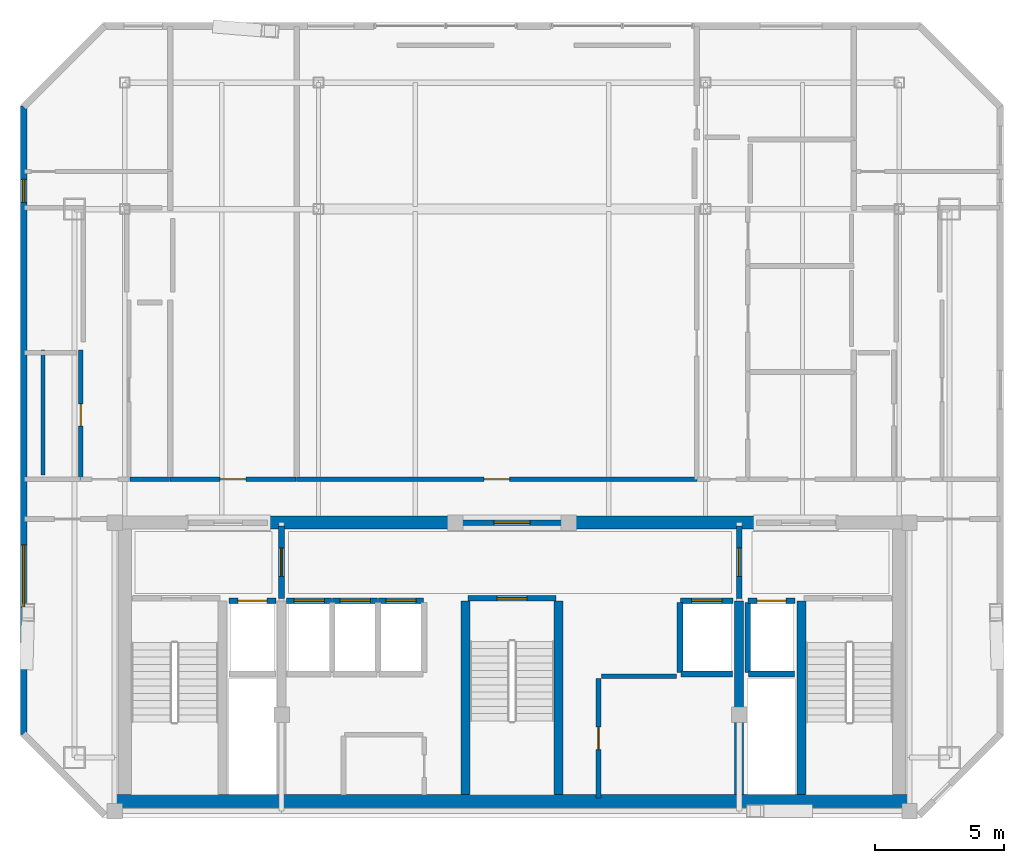
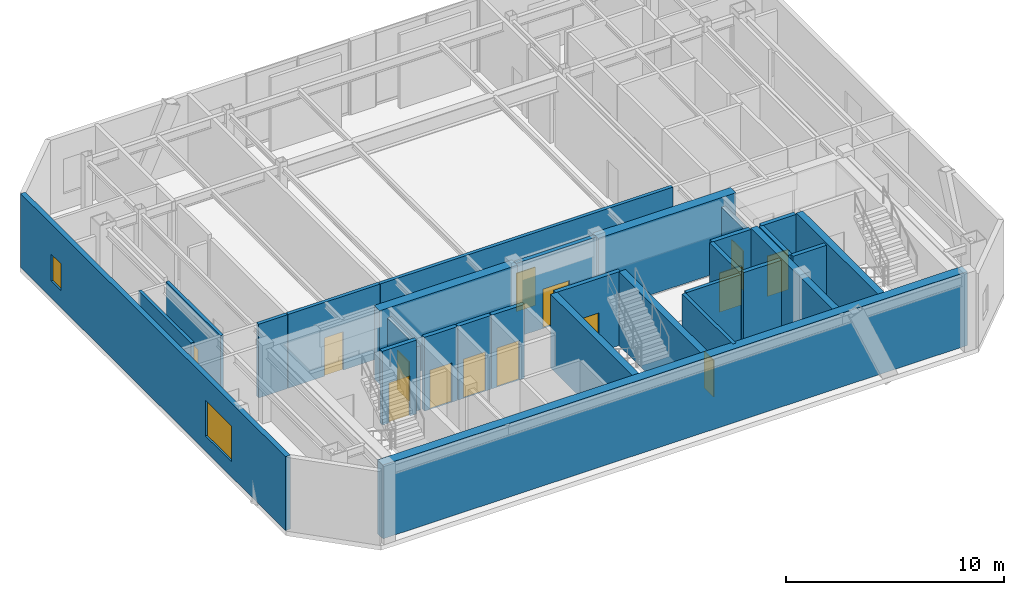
# One storey, part 6 of 10: 29 walls, 14 doors, 2 windows, 16 openings.
"""IFC4 building model written with IfcOpenShell, lengths in metres."""

from ifc_helpers import new_model, si_unit, direction, frame, frame_2d, origin, place, context, subcontext, project, spatial, rectangle, extrude, material, layer, layer_set, type_object, element, fill, save


model = new_model("IFC4")

# Units and contexts
model_context = context("Model", 3, precision=1e-05, world=origin(), true_north=direction((0.0, 1.0)))
body_context = subcontext(model_context, "Body", "Model", "MODEL_VIEW")
ifc_project = project(units=[si_unit("LENGTHUNIT", "METRE"), si_unit("AREAUNIT", "SQUARE_METRE"), si_unit("VOLUMEUNIT", "CUBIC_METRE"), si_unit("PLANEANGLEUNIT", "RADIAN"), si_unit("MASSUNIT", "GRAM", prefix="KILO")], contexts=[model_context])

# Site, building, storey
site_placement = place(None, origin())
site = spatial("IfcSite", under=ifc_project, at=site_placement, CompositionType="ELEMENT")
building_placement = place(site_placement, origin())
building = spatial("IfcBuilding", under=site, at=building_placement, Name="Ventersveld Concourse Tower", CompositionType="ELEMENT")
storey_placement = place(building_placement, frame((0.0, 0.0, 357.85009765625)))
storey = spatial("IfcBuildingStorey", under=building, at=storey_placement, Name="L88", CompositionType="ELEMENT", Elevation=357.85009765625)

# Walls
ifc_material_1 = material(Name="Concrete C50/60", Category="concrete")
ifc_layer_1 = layer(ifc_material_1, 0.35009765625)
ifc_layer_set_1 = layer_set([ifc_layer_1], Name="Concrete C50/60")
wall_type_1 = type_object("IfcWallType", Name="WL-CORE-350U", PredefinedType="SHEAR", material=ifc_layer_set_1)
for number, where, z_axis, x_axis, name in (
    (1, (26.93994140625, 0.919921875, 0.0), (0.0, 0.0, 1.0), (0.0, 1.0, 0.0), "L88 Core Internal Shear Web W-ST3-W"),
    (2, (30.56005859375, 0.919921875, 0.0), (0.0, 0.0, 1.0), (0.0, 1.0, 0.0), "L88 Core Internal Shear Web W-ST3-E"),
    (3, (37.550048828125, 0.919921875, 0.0), (0.0, 0.0, 1.0), (0.0, 1.0, 0.0), "L88 Core Internal Shear Web W-SVL-W"),
    (4, (39.9599609375, 0.919921875, 0.0), (0.0, 0.0, 1.0), (0.0, 1.0, 0.0), "L88 Core Internal Shear Web W-ST2-W"),
):
    element("IfcWall", number, at=place(storey_placement, frame(where, z_axis=z_axis, x_axis=x_axis)), inside=storey, type_object=wall_type_1, Name=name, PredefinedType="SHEAR", context=body_context, shape_type="SweptSolid", body=[
        extrude(rectangle(XDim=7.5, YDim=0.35009765625, at=frame_2d((3.75, 0.0))), origin(), (0.0, 0.0, 1.0), 4.139892578125),
    ])
ifc_layer_2 = layer(ifc_material_1, 0.5)
ifc_layer_set_2 = layer_set([ifc_layer_2], Name="Concrete C50/60")
wall_type_2 = type_object("IfcWallType", Name="WL-CORE-500", PredefinedType="SHEAR", material=ifc_layer_set_2)
wall_1_placement = place(storey_placement, frame((13.25, 0.669921875, 0.0), z_axis=(0.0, 0.0, 1.0), x_axis=(1.0, 0.0, 0.0)))
element("IfcWall", 5, at=wall_1_placement, inside=storey, type_object=wall_type_2, Name="L88 Rear Core South Shear Wall", PredefinedType="SHEAR", context=body_context, shape_type="SweptSolid", body=[
    extrude(rectangle(XDim=31.0, YDim=0.5, at=frame_2d((15.5, 0.0))), origin(), (0.0, 0.0, 1.0), 4.139892578125),
])
for number, where, z_axis, x_axis, name in (
    (6, (19.300048828125, 11.449951171875, 0.0), (0.0, 0.0, 1.0), (1.0, 0.0, 0.0), "L88 Rear Core North Shear Wall NML"),
    (7, (30.89990234375, 11.449951171875, 0.0), (0.0, 0.0, 1.0), (1.0, 0.0, 0.0), "L88 Rear Core North Shear Wall NMR"),
):
    element("IfcWall", number, at=place(storey_placement, frame(where, z_axis=z_axis, x_axis=x_axis)), inside=storey, type_object=wall_type_2, Name=name, PredefinedType="SHEAR", context=body_context, shape_type="SweptSolid", body=[
        extrude(rectangle(XDim=7.300048828125, YDim=0.5, at=frame_2d((3.64990234375, 0.0))), origin(), (0.0, 0.0, 1.0), 4.139892578125),
    ])

# Wall, opening, door
ifc_material_2 = material(Name="Fire-rated autoclaved aerated masonry blockwork", Category="masonry")
ifc_layer_3 = layer(ifc_material_2, 0.179931640625)
ifc_layer_set_3 = layer_set([ifc_layer_3], Name="Fire-rated autoclaved aerated masonry blockwork")
wall_type_3 = type_object("IfcWallType", Name="WL-CORR-180", PredefinedType="PARTITIONING", material=ifc_layer_set_3)
wall_2_placement = place(storey_placement, frame((32.10009765625, 0.780029296875, 0.0), z_axis=(0.0, 0.0, 1.0), x_axis=(0.0, 1.0, 0.0)))
wall_2 = element("IfcWall", 8, at=wall_2_placement, inside=storey, type_object=wall_type_3, Name="L88 Core Passage Wall SP-L88-RECB2", PredefinedType="PARTITIONING", context=body_context, shape_type="SweptSolid", body=[
    extrude(rectangle(XDim=4.639892578125, YDim=0.179931640625, at=frame_2d((2.31982421875, 0.0))), origin(), (0.0, 0.0, 1.0), 4.139892578125),
])
opening_1_placement = place(wall_2_placement, frame((1.8798828125, 0.0, 0.0)))
opening_1 = element("IfcOpeningElement", 9, at=opening_1_placement, cuts=wall_2, Name="Opening FD5", PredefinedType="OPENING", context=body_context, shape_type="SweptSolid", body=[
    extrude(rectangle(XDim=0.8798828125, YDim=2.050048828125, at=frame_2d((0.43994140625, 1.02490234375))), frame((0.0, 0.10009765625, 0.0), z_axis=(0.0, -1.0, 0.0), x_axis=(1.0, 0.0, 0.0)), (0.0, 0.0, 1.0), 0.199951171875),
])
ifc_material_3 = material(Name="Galvanised painted steel", Category="steel")
door_type_1 = type_object("IfcDoorType", Name="DR-RISER-088", OperationType="NOTDEFINED", PredefinedType="DOOR", material=ifc_material_3)
door_1_placement = place(opening_1_placement, origin())
door_1 = element("IfcDoor", 10, at=door_1_placement, inside=storey, type_object=door_type_1, Name="L88 Core Room Door L88 Reclaimed Core Wellness Yoga Studio (CD-L88-3908)", OperationType="SINGLE_SWING_LEFT", OverallHeight=2.050048828125, OverallWidth=0.8798828125, PredefinedType="DOOR", context=body_context, shape_type="SweptSolid", body=[
    extrude(rectangle(XDim=0.8798828125, YDim=2.050048828125, at=frame_2d((0.43994140625, 1.02490234375))), frame((0.0, 0.02490234375, 0.0), z_axis=(0.0, -1.0, 0.0), x_axis=(1.0, 0.0, 0.0)), (0.0, 0.0, 1.0), 0.050048828125),
])
fill(opening_1, door_1)

# Wall
wall_3_placement = place(storey_placement, frame((32.219970703125, 5.5, 0.0), z_axis=(0.0, 0.0, 1.0), x_axis=(1.0, 0.0, 0.0)))
element("IfcWall", 11, at=wall_3_placement, inside=storey, type_object=wall_type_3, Name="L88 Core Top Wall SP-L88-RECB2", PredefinedType="PARTITIONING", context=body_context, shape_type="SweptSolid", body=[
    extrude(rectangle(XDim=2.900146484375, YDim=0.179931640625, at=frame_2d((1.4501953125, 0.0))), origin(), (0.0, 0.0, 1.0), 4.139892578125),
])

# Wall, opening, door
wall_4_placement = place(storey_placement, frame((20.405029296875, 13.135009765625, 0.0), z_axis=(0.0, 0.0, 1.0), x_axis=(1.0, 0.0, 0.0)))
wall_4 = element("IfcWall", 12, at=wall_4_placement, inside=storey, type_object=wall_type_3, Name="L88 Interior Partition SP-L88-COR-SP-L88-SLNG", PredefinedType="PARTITIONING", context=body_context, shape_type="SweptSolid", body=[
    extrude(rectangle(XDim=15.510009765625, YDim=0.179931640625, at=frame_2d((7.7548828125, 0.0))), origin(), (0.0, 0.0, 1.0), 4.139892578125),
])
opening_2_placement = place(wall_4_placement, frame((7.2548828125, 0.0, 0.0)))
opening_2 = element("IfcOpeningElement", 13, at=opening_2_placement, cuts=wall_4, Name="Opening FD3", PredefinedType="OPENING", context=body_context, shape_type="SweptSolid", body=[
    extrude(rectangle(XDim=1.0, YDim=2.14990234375, at=frame_2d((0.5, 1.074951171875))), frame((0.0, 0.10009765625, 0.0), z_axis=(0.0, -1.0, 0.0), x_axis=(1.0, 0.0, 0.0)), (0.0, 0.0, 1.0), 0.199951171875),
])
ifc_material_4 = material(Name="Solid-core hardwood veneer timber", Category="wood")
door_type_2 = type_object("IfcDoorType", Name="DR-FLAT-100", OperationType="NOTDEFINED", PredefinedType="DOOR", material=ifc_material_4)
door_2_placement = place(opening_2_placement, origin())
door_2 = element("IfcDoor", 14, at=door_2_placement, inside=storey, type_object=door_type_2, Name="L88 Interior Door SP-L88-COR to SP-L88-SLNG (D-L88-3911)", OperationType="SINGLE_SWING_LEFT", OverallHeight=2.14990234375, OverallWidth=1.0, PredefinedType="DOOR", context=body_context, shape_type="SweptSolid", body=[
    extrude(rectangle(XDim=1.0, YDim=2.14990234375, at=frame_2d((0.5, 1.074951171875))), frame((0.0, 0.02490234375, 0.0), z_axis=(0.0, -1.0, 0.0), x_axis=(1.0, 0.0, 0.0)), (0.0, 0.0, 1.0), 0.050048828125),
])
fill(opening_2, door_2)

wall_5_placement = place(storey_placement, frame((15.5048828125, 13.135009765625, 0.0), z_axis=(0.0, 0.0, 1.0), x_axis=(1.0, 0.0, 0.0)))
wall_5 = element("IfcWall", 15, at=wall_5_placement, inside=storey, type_object=wall_type_3, Name="L88 Interior Partition SP-L88-COR-SP-L88-DIN", PredefinedType="PARTITIONING", context=body_context, shape_type="SweptSolid", body=[
    extrude(rectangle(XDim=4.8701171875, YDim=0.179931640625, at=frame_2d((2.43505859375, 0.0))), origin(), (0.0, 0.0, 1.0), 4.139892578125),
])
opening_3_placement = place(wall_5_placement, frame((1.93505859375, 0.0, 0.0)))
opening_3 = element("IfcOpeningElement", 16, at=opening_3_placement, cuts=wall_5, Name="Opening FD3", PredefinedType="OPENING", context=body_context, shape_type="SweptSolid", body=[
    extrude(rectangle(XDim=1.0, YDim=2.14990234375, at=frame_2d((0.5, 1.074951171875))), frame((0.0, 0.10009765625, 0.0), z_axis=(0.0, -1.0, 0.0), x_axis=(1.0, 0.0, 0.0)), (0.0, 0.0, 1.0), 0.199951171875),
])
door_3_placement = place(opening_3_placement, origin())
door_3 = element("IfcDoor", 17, at=door_3_placement, inside=storey, type_object=door_type_2, Name="L88 Interior Door SP-L88-COR to SP-L88-DIN (D-L88-3912)", OperationType="SINGLE_SWING_RIGHT", OverallHeight=2.14990234375, OverallWidth=1.0, PredefinedType="DOOR", context=body_context, shape_type="SweptSolid", body=[
    extrude(rectangle(XDim=1.0, YDim=2.14990234375, at=frame_2d((0.5, 1.074951171875))), frame((0.0, 0.02490234375, 0.0), z_axis=(0.0, -1.0, 0.0), x_axis=(1.0, 0.0, 0.0)), (0.0, 0.0, 1.0), 0.050048828125),
])
fill(opening_3, door_3)

# Wall
wall_6_placement = place(storey_placement, frame((13.945068359375, 13.135009765625, 0.0), z_axis=(0.0, 0.0, 1.0), x_axis=(1.0, 0.0, 0.0)))
element("IfcWall", 18, at=wall_6_placement, inside=storey, type_object=wall_type_3, Name="L88 Interior Partition SP-L88-COR-SP-L88-88W-KIT", PredefinedType="PARTITIONING", context=body_context, shape_type="SweptSolid", body=[
    extrude(rectangle(XDim=1.530029296875, YDim=0.179931640625, at=frame_2d((0.76513671875, 0.0))), origin(), (0.0, 0.0, 1.0), 4.139892578125),
])

# Wall, opening, door
ifc_layer_4 = layer(ifc_material_2, 0.219970703125)
ifc_layer_set_4 = layer_set([ifc_layer_4], Name="Fire-rated autoclaved aerated masonry blockwork")
wall_type_4 = type_object("IfcWallType", Name="WL-HOIST-220", PredefinedType="SOLIDWALL", material=ifc_layer_set_4)
wall_7_placement = place(storey_placement, frame((17.780029296875, 8.429931640625, 0.0), z_axis=(0.0, 0.0, 1.0), x_axis=(1.0, 0.0, 0.0)))
wall_7 = element("IfcWall", 19, at=wall_7_placement, inside=storey, type_object=wall_type_4, Name="L88 Lift Hoistway Front Wall FFL-01", PredefinedType="SOLIDWALL", context=body_context, shape_type="SweptSolid", body=[
    extrude(rectangle(XDim=1.820068359375, YDim=0.219970703125, at=frame_2d((0.91015625, 0.0))), origin(), (0.0, 0.0, 1.0), 4.139892578125),
])
opening_4_placement = place(wall_7_placement, frame((0.35009765625, 0.0, 0.0)))
opening_4 = element("IfcOpeningElement", 20, at=opening_4_placement, cuts=wall_7, Name="Opening LD1", PredefinedType="OPENING", context=body_context, shape_type="SweptSolid", body=[
    extrude(rectangle(XDim=1.1201171875, YDim=2.25, at=frame_2d((0.56005859375, 1.125))), frame((0.0, 0.1201171875, 0.0), z_axis=(0.0, -1.0, 0.0), x_axis=(1.0, 0.0, 0.0)), (0.0, 0.0, 1.0), 0.239990234375),
])
ifc_material_5 = material(Name="Brushed stainless steel 316", Category="steel")
door_type_3 = type_object("IfcDoorType", Name="LD-FF-112", OperationType="SLIDING_TO_LEFT", PredefinedType="DOOR", material=ifc_material_5)
door_4_placement = place(opening_4_placement, origin())
door_4 = element("IfcDoor", 21, at=door_4_placement, inside=storey, type_object=door_type_3, Name="L88 Lift landing door FFL-01 (LD-L88-FFL-01)", OperationType="SLIDING_TO_RIGHT", OverallHeight=2.25, OverallWidth=1.1201171875, PredefinedType="DOOR", context=body_context, shape_type="SweptSolid", body=[
    extrude(rectangle(XDim=1.1201171875, YDim=2.25, at=frame_2d((0.56005859375, 1.125))), frame((0.0, 0.02490234375, 0.0), z_axis=(0.0, -1.0, 0.0), x_axis=(1.0, 0.0, 0.0)), (0.0, 0.0, 1.0), 0.050048828125),
])
fill(opening_4, door_4)

# Walls
wall_8_placement = place(storey_placement, frame((37.919921875, 5.590087890625, 0.0), z_axis=(0.0, 0.0, 1.0), x_axis=(1.0, 0.0, 0.0)))
element("IfcWall", 22, at=wall_8_placement, inside=storey, type_object=wall_type_4, Name="L88 Lift Hoistway Back Wall FFL-02", PredefinedType="SOLIDWALL", context=body_context, shape_type="SweptSolid", body=[
    extrude(rectangle(XDim=1.780029296875, YDim=0.219970703125, at=frame_2d((0.89013671875, 0.0))), origin(), (0.0, 0.0, 1.0), 4.139892578125),
])
wall_9_placement = place(storey_placement, frame((37.8798828125, 5.64990234375, 0.0), z_axis=(0.0, 0.0, 1.0), x_axis=(0.0, 1.0, 0.0)))
element("IfcWall", 23, at=wall_9_placement, inside=storey, type_object=wall_type_4, Name="L88 Lift Hoistway Side Wall FFL-02W", PredefinedType="SOLIDWALL", context=body_context, shape_type="SweptSolid", body=[
    extrude(rectangle(XDim=2.7001953125, YDim=0.219970703125, at=frame_2d((1.35009765625, 0.0))), origin(), (0.0, 0.0, 1.0), 4.139892578125),
])

# Wall, opening, door
wall_10_placement = place(storey_placement, frame((37.89990234375, 8.429931640625, 0.0), z_axis=(0.0, 0.0, 1.0), x_axis=(1.0, 0.0, 0.0)))
wall_10 = element("IfcWall", 24, at=wall_10_placement, inside=storey, type_object=wall_type_4, Name="L88 Lift Hoistway Front Wall FFL-02", PredefinedType="SOLIDWALL", context=body_context, shape_type="SweptSolid", body=[
    extrude(rectangle(XDim=1.820068359375, YDim=0.219970703125, at=frame_2d((0.91015625, 0.0))), origin(), (0.0, 0.0, 1.0), 4.139892578125),
])
opening_5_placement = place(wall_10_placement, frame((0.35009765625, 0.0, 0.0)))
opening_5 = element("IfcOpeningElement", 25, at=opening_5_placement, cuts=wall_10, Name="Opening LD1", PredefinedType="OPENING", context=body_context, shape_type="SweptSolid", body=[
    extrude(rectangle(XDim=1.1201171875, YDim=2.25, at=frame_2d((0.56005859375, 1.125))), frame((0.0, 0.1201171875, 0.0), z_axis=(0.0, -1.0, 0.0), x_axis=(1.0, 0.0, 0.0)), (0.0, 0.0, 1.0), 0.239990234375),
])
door_5_placement = place(opening_5_placement, origin())
door_5 = element("IfcDoor", 26, at=door_5_placement, inside=storey, type_object=door_type_3, Name="L88 Lift landing door FFL-02 (LD-L88-FFL-02)", OperationType="SLIDING_TO_LEFT", OverallHeight=2.25, OverallWidth=1.1201171875, PredefinedType="DOOR", context=body_context, shape_type="SweptSolid", body=[
    extrude(rectangle(XDim=1.1201171875, YDim=2.25, at=frame_2d((0.56005859375, 1.125))), frame((0.0, 0.02490234375, 0.0), z_axis=(0.0, -1.0, 0.0), x_axis=(1.0, 0.0, 0.0)), (0.0, 0.0, 1.0), 0.050048828125),
])
fill(opening_5, door_5)

# Walls
wall_11_placement = place(storey_placement, frame((35.300048828125, 5.590087890625, 0.0), z_axis=(0.0, 0.0, 1.0), x_axis=(1.0, 0.0, 0.0)))
element("IfcWall", 27, at=wall_11_placement, inside=storey, type_object=wall_type_4, Name="L88 Lift Hoistway Back Wall SVL-01", PredefinedType="SOLIDWALL", context=body_context, shape_type="SweptSolid", body=[
    extrude(rectangle(XDim=2.0, YDim=0.219970703125, at=frame_2d((1.0, 0.0))), origin(), (0.0, 0.0, 1.0), 4.139892578125),
])
wall_12_placement = place(storey_placement, frame((35.260009765625, 5.64990234375, 0.0), z_axis=(0.0, 0.0, 1.0), x_axis=(0.0, 1.0, 0.0)))
element("IfcWall", 28, at=wall_12_placement, inside=storey, type_object=wall_type_4, Name="L88 Lift Hoistway Side Wall SVL-01W", PredefinedType="SOLIDWALL", context=body_context, shape_type="SweptSolid", body=[
    extrude(rectangle(XDim=2.7001953125, YDim=0.219970703125, at=frame_2d((1.35009765625, 0.0))), origin(), (0.0, 0.0, 1.0), 4.139892578125),
])

# Wall, opening, door
wall_13_placement = place(storey_placement, frame((35.280029296875, 8.429931640625, 0.0), z_axis=(0.0, 0.0, 1.0), x_axis=(1.0, 0.0, 0.0)))
wall_13 = element("IfcWall", 29, at=wall_13_placement, inside=storey, type_object=wall_type_4, Name="L88 Lift Hoistway Front Wall SVL-01", PredefinedType="SOLIDWALL", context=body_context, shape_type="SweptSolid", body=[
    extrude(rectangle(XDim=2.0400390625, YDim=0.219970703125, at=frame_2d((1.02001953125, 0.0))), origin(), (0.0, 0.0, 1.0), 4.139892578125),
])
opening_6_placement = place(wall_13_placement, frame((0.429931640625, 0.0, 0.0)))
opening_6 = element("IfcOpeningElement", 30, at=opening_6_placement, cuts=wall_13, Name="Opening LD2", PredefinedType="OPENING", context=body_context, shape_type="SweptSolid", body=[
    extrude(rectangle(XDim=1.179931640625, YDim=2.199951171875, at=frame_2d((0.58984375, 1.10009765625))), frame((0.0, 0.1201171875, 0.0), z_axis=(0.0, -1.0, 0.0), x_axis=(1.0, 0.0, 0.0)), (0.0, 0.0, 1.0), 0.239990234375),
])
door_type_4 = type_object("IfcDoorType", Name="LD-PAX-118", OperationType="SLIDING_TO_LEFT", PredefinedType="DOOR", material=ifc_material_5)
door_6_placement = place(opening_6_placement, origin())
door_6 = element("IfcDoor", 31, at=door_6_placement, inside=storey, type_object=door_type_4, Name="L88 Lift landing door SVL-01 (LD-L88-SVL-01)", OperationType="SLIDING_TO_RIGHT", OverallHeight=2.199951171875, OverallWidth=1.179931640625, PredefinedType="DOOR", context=body_context, shape_type="SweptSolid", body=[
    extrude(rectangle(XDim=1.179931640625, YDim=2.199951171875, at=frame_2d((0.58984375, 1.10009765625))), frame((0.0, 0.02490234375, 0.0), z_axis=(0.0, -1.0, 0.0), x_axis=(1.0, 0.0, 0.0)), (0.0, 0.0, 1.0), 0.050048828125),
])
fill(opening_6, door_6)

wall_14_placement = place(storey_placement, frame((20.02001953125, 8.429931640625, 0.0), z_axis=(0.0, 0.0, 1.0), x_axis=(1.0, 0.0, 0.0)))
wall_14 = element("IfcWall", 32, at=wall_14_placement, inside=storey, type_object=wall_type_4, Name="L88 Lift Hoistway Front Wall PH-01", PredefinedType="SOLIDWALL", context=body_context, shape_type="SweptSolid", body=[
    extrude(rectangle(XDim=1.739990234375, YDim=0.219970703125, at=frame_2d((0.8701171875, 0.0))), origin(), (0.0, 0.0, 1.0), 4.139892578125),
])
opening_7_placement = place(wall_14_placement, frame((0.280029296875, 0.0, 0.0)))
opening_7 = element("IfcOpeningElement", 33, at=opening_7_placement, cuts=wall_14, Name="Opening LD2", PredefinedType="OPENING", context=body_context, shape_type="SweptSolid", body=[
    extrude(rectangle(XDim=1.179931640625, YDim=2.199951171875, at=frame_2d((0.58984375, 1.10009765625))), frame((0.0, 0.1201171875, 0.0), z_axis=(0.0, -1.0, 0.0), x_axis=(1.0, 0.0, 0.0)), (0.0, 0.0, 1.0), 0.239990234375),
])
door_7_placement = place(opening_7_placement, origin())
door_7 = element("IfcDoor", 34, at=door_7_placement, inside=storey, type_object=door_type_4, Name="L88 Lift landing door PH-01 (LD-L88-PH-01)", OperationType="SLIDING_TO_LEFT", OverallHeight=2.199951171875, OverallWidth=1.179931640625, PredefinedType="DOOR", context=body_context, shape_type="SweptSolid", body=[
    extrude(rectangle(XDim=1.179931640625, YDim=2.199951171875, at=frame_2d((0.58984375, 1.10009765625))), frame((0.0, 0.02490234375, 0.0), z_axis=(0.0, -1.0, 0.0), x_axis=(1.0, 0.0, 0.0)), (0.0, 0.0, 1.0), 0.050048828125),
])
fill(opening_7, door_7)

wall_15_placement = place(storey_placement, frame((21.800048828125, 8.429931640625, 0.0), z_axis=(0.0, 0.0, 1.0), x_axis=(1.0, 0.0, 0.0)))
wall_15 = element("IfcWall", 35, at=wall_15_placement, inside=storey, type_object=wall_type_4, Name="L88 Lift Hoistway Front Wall PH-02", PredefinedType="SOLIDWALL", context=body_context, shape_type="SweptSolid", body=[
    extrude(rectangle(XDim=1.739990234375, YDim=0.219970703125, at=frame_2d((0.8701171875, 0.0))), origin(), (0.0, 0.0, 1.0), 4.139892578125),
])
opening_8_placement = place(wall_15_placement, frame((0.280029296875, 0.0, 0.0)))
opening_8 = element("IfcOpeningElement", 36, at=opening_8_placement, cuts=wall_15, Name="Opening LD2", PredefinedType="OPENING", context=body_context, shape_type="SweptSolid", body=[
    extrude(rectangle(XDim=1.179931640625, YDim=2.199951171875, at=frame_2d((0.58984375, 1.10009765625))), frame((0.0, 0.1201171875, 0.0), z_axis=(0.0, -1.0, 0.0), x_axis=(1.0, 0.0, 0.0)), (0.0, 0.0, 1.0), 0.239990234375),
])
door_8_placement = place(opening_8_placement, origin())
door_8 = element("IfcDoor", 37, at=door_8_placement, inside=storey, type_object=door_type_4, Name="L88 Lift landing door PH-02 (LD-L88-PH-02)", OperationType="SLIDING_TO_RIGHT", OverallHeight=2.199951171875, OverallWidth=1.179931640625, PredefinedType="DOOR", context=body_context, shape_type="SweptSolid", body=[
    extrude(rectangle(XDim=1.179931640625, YDim=2.199951171875, at=frame_2d((0.58984375, 1.10009765625))), frame((0.0, 0.02490234375, 0.0), z_axis=(0.0, -1.0, 0.0), x_axis=(1.0, 0.0, 0.0)), (0.0, 0.0, 1.0), 0.050048828125),
])
fill(opening_8, door_8)

wall_16_placement = place(storey_placement, frame((23.580078125, 8.429931640625, 0.0), z_axis=(0.0, 0.0, 1.0), x_axis=(1.0, 0.0, 0.0)))
wall_16 = element("IfcWall", 38, at=wall_16_placement, inside=storey, type_object=wall_type_4, Name="L88 Lift Hoistway Front Wall PH-03", PredefinedType="SOLIDWALL", context=body_context, shape_type="SweptSolid", body=[
    extrude(rectangle(XDim=1.739990234375, YDim=0.219970703125, at=frame_2d((0.8701171875, 0.0))), origin(), (0.0, 0.0, 1.0), 4.139892578125),
])
opening_9_placement = place(wall_16_placement, frame((0.280029296875, 0.0, 0.0)))
opening_9 = element("IfcOpeningElement", 39, at=opening_9_placement, cuts=wall_16, Name="Opening LD2", PredefinedType="OPENING", context=body_context, shape_type="SweptSolid", body=[
    extrude(rectangle(XDim=1.179931640625, YDim=2.199951171875, at=frame_2d((0.58984375, 1.10009765625))), frame((0.0, 0.1201171875, 0.0), z_axis=(0.0, -1.0, 0.0), x_axis=(1.0, 0.0, 0.0)), (0.0, 0.0, 1.0), 0.239990234375),
])
door_9_placement = place(opening_9_placement, origin())
door_9 = element("IfcDoor", 40, at=door_9_placement, inside=storey, type_object=door_type_4, Name="L88 Lift landing door PH-03 (LD-L88-PH-03)", OperationType="SLIDING_TO_LEFT", OverallHeight=2.199951171875, OverallWidth=1.179931640625, PredefinedType="DOOR", context=body_context, shape_type="SweptSolid", body=[
    extrude(rectangle(XDim=1.179931640625, YDim=2.199951171875, at=frame_2d((0.58984375, 1.10009765625))), frame((0.0, 0.02490234375, 0.0), z_axis=(0.0, -1.0, 0.0), x_axis=(1.0, 0.0, 0.0)), (0.0, 0.0, 1.0), 0.050048828125),
])
fill(opening_9, door_9)

wall_17_placement = place(storey_placement, frame((27.0400390625, 8.52001953125, 0.0), z_axis=(0.0, 0.0, 1.0), x_axis=(1.0, 0.0, 0.0)))
wall_17 = element("IfcWall", 41, at=wall_17_placement, inside=storey, type_object=wall_type_4, Name="L88 Escape Stair ST03 Fire Wall", PredefinedType="SOLIDWALL", context=body_context, shape_type="SweptSolid", body=[
    extrude(rectangle(XDim=3.419921875, YDim=0.219970703125, at=frame_2d((1.7099609375, 0.0))), origin(), (0.0, 0.0, 1.0), 4.139892578125),
])
opening_10_placement = place(wall_17_placement, frame((1.135009765625, 0.0, 0.0)))
opening_10 = element("IfcOpeningElement", 42, at=opening_10_placement, cuts=wall_17, Name="Opening FD1", PredefinedType="OPENING", context=body_context, shape_type="SweptSolid", body=[
    extrude(rectangle(XDim=1.14990234375, YDim=2.199951171875, at=frame_2d((0.574951171875, 1.10009765625))), frame((0.0, 0.1201171875, 0.0), z_axis=(0.0, -1.0, 0.0), x_axis=(1.0, 0.0, 0.0)), (0.0, 0.0, 1.0), 0.239990234375),
])
door_type_5 = type_object("IfcDoorType", Name="DR-STAIR-115", OperationType="NOTDEFINED", PredefinedType="DOOR", material=ifc_material_3)
door_10_placement = place(opening_10_placement, origin())
door_10 = element("IfcDoor", 43, at=door_10_placement, inside=storey, type_object=door_type_5, Name="L88 Escape Stair Door ST03 (SD-L88-3901)", OperationType="SINGLE_SWING_LEFT", OverallHeight=2.199951171875, OverallWidth=1.14990234375, PredefinedType="DOOR", context=body_context, shape_type="SweptSolid", body=[
    extrude(rectangle(XDim=1.14990234375, YDim=2.199951171875, at=frame_2d((0.574951171875, 1.10009765625))), frame((0.0, 0.02490234375, 0.0), z_axis=(0.0, -1.0, 0.0), x_axis=(1.0, 0.0, 0.0)), (0.0, 0.0, 1.0), 0.050048828125),
])
fill(opening_10, door_10)

wall_18_placement = place(storey_placement, frame((19.820068359375, 8.52001953125, 0.0), z_axis=(0.0, 0.0, 1.0), x_axis=(0.0, 1.0, 0.0)))
wall_18 = element("IfcWall", 44, at=wall_18_placement, inside=storey, type_object=wall_type_4, Name="L88 Firefighting Lobby Smoke-Stop Wall FFLW-SEP", PredefinedType="SOLIDWALL", context=body_context, shape_type="SweptSolid", body=[
    extrude(rectangle(XDim=2.800048828125, YDim=0.219970703125, at=frame_2d((1.39990234375, 0.0))), origin(), (0.0, 0.0, 1.0), 3.595458984375),
])
opening_11_placement = place(wall_18_placement, frame((0.85009765625, 0.0, 0.0)))
opening_11 = element("IfcOpeningElement", 45, at=opening_11_placement, cuts=wall_18, Name="Opening FD2", PredefinedType="OPENING", context=body_context, shape_type="SweptSolid", body=[
    extrude(rectangle(XDim=1.10009765625, YDim=2.199951171875, at=frame_2d((0.550048828125, 1.10009765625))), frame((0.0, 0.1201171875, 0.0), z_axis=(0.0, -1.0, 0.0), x_axis=(1.0, 0.0, 0.0)), (0.0, 0.0, 1.0), 0.239990234375),
])
door_type_6 = type_object("IfcDoorType", Name="DR-FFL-110", OperationType="NOTDEFINED", PredefinedType="DOOR", material=ifc_material_3)
door_11_placement = place(opening_11_placement, origin())
door_11 = element("IfcDoor", 46, at=door_11_placement, inside=storey, type_object=door_type_6, Name="L88 Firefighting Lobby Door FFLW-SEP (FD-L88-3902)", OperationType="SINGLE_SWING_LEFT", OverallHeight=2.199951171875, OverallWidth=1.10009765625, PredefinedType="DOOR", context=body_context, shape_type="SweptSolid", body=[
    extrude(rectangle(XDim=1.10009765625, YDim=2.199951171875, at=frame_2d((0.550048828125, 1.10009765625))), frame((0.0, 0.02490234375, 0.0), z_axis=(0.0, -1.0, 0.0), x_axis=(1.0, 0.0, 0.0)), (0.0, 0.0, 1.0), 0.050048828125),
])
fill(opening_11, door_11)

wall_19_placement = place(storey_placement, frame((37.550048828125, 8.52001953125, 0.0), z_axis=(0.0, 0.0, 1.0), x_axis=(0.0, 1.0, 0.0)))
wall_19 = element("IfcWall", 47, at=wall_19_placement, inside=storey, type_object=wall_type_4, Name="L88 Firefighting Lobby Smoke-Stop Wall FFLE-SEP", PredefinedType="SOLIDWALL", context=body_context, shape_type="SweptSolid", body=[
    extrude(rectangle(XDim=2.800048828125, YDim=0.219970703125, at=frame_2d((1.39990234375, 0.0))), origin(), (0.0, 0.0, 1.0), 3.595458984375),
])
opening_12_placement = place(wall_19_placement, frame((0.85009765625, 0.0, 0.0)))
opening_12 = element("IfcOpeningElement", 48, at=opening_12_placement, cuts=wall_19, Name="Opening FD2", PredefinedType="OPENING", context=body_context, shape_type="SweptSolid", body=[
    extrude(rectangle(XDim=1.10009765625, YDim=2.199951171875, at=frame_2d((0.550048828125, 1.10009765625))), frame((0.0, 0.1201171875, 0.0), z_axis=(0.0, -1.0, 0.0), x_axis=(1.0, 0.0, 0.0)), (0.0, 0.0, 1.0), 0.239990234375),
])
door_12_placement = place(opening_12_placement, origin())
door_12 = element("IfcDoor", 49, at=door_12_placement, inside=storey, type_object=door_type_6, Name="L88 Firefighting Lobby Door FFLE-SEP (FD-L88-3903)", OperationType="SINGLE_SWING_RIGHT", OverallHeight=2.199951171875, OverallWidth=1.10009765625, PredefinedType="DOOR", context=body_context, shape_type="SweptSolid", body=[
    extrude(rectangle(XDim=1.10009765625, YDim=2.199951171875, at=frame_2d((0.550048828125, 1.10009765625))), frame((0.0, 0.02490234375, 0.0), z_axis=(0.0, -1.0, 0.0), x_axis=(1.0, 0.0, 0.0)), (0.0, 0.0, 1.0), 0.050048828125),
])
fill(opening_12, door_12)

wall_20_placement = place(storey_placement, frame((26.6298828125, 11.449951171875, 0.0), z_axis=(0.0, 0.0, 1.0), x_axis=(1.0, 0.0, 0.0)))
wall_20 = element("IfcWall", 50, at=wall_20_placement, inside=storey, type_object=wall_type_4, Name="L88 Core North Fire Portal PLOB-OUT", PredefinedType="SOLIDWALL", context=body_context, shape_type="SweptSolid", body=[
    extrude(rectangle(XDim=4.240234375, YDim=0.219970703125, at=frame_2d((2.1201171875, 0.0))), origin(), (0.0, 0.0, 1.0), 4.139892578125),
])
opening_13_placement = place(wall_20_placement, frame((1.419921875, 0.0, 0.0)))
opening_13 = element("IfcOpeningElement", 51, at=opening_13_placement, cuts=wall_20, Name="Opening FD4", PredefinedType="OPENING", context=body_context, shape_type="SweptSolid", body=[
    extrude(rectangle(XDim=1.39990234375, YDim=2.199951171875, at=frame_2d((0.699951171875, 1.10009765625))), frame((0.0, 0.1201171875, 0.0), z_axis=(0.0, -1.0, 0.0), x_axis=(1.0, 0.0, 0.0)), (0.0, 0.0, 1.0), 0.239990234375),
])
door_type_7 = type_object("IfcDoorType", Name="DR-PLANT-140", OperationType="DOUBLE_DOOR_SINGLE_SWING", PredefinedType="DOOR", material=ifc_material_3)
door_13_placement = place(opening_13_placement, origin())
door_13 = element("IfcDoor", 52, at=door_13_placement, inside=storey, type_object=door_type_7, Name="L88 Core Lobby Fire Door PLOB-OUT (FD-L88-3905)", OperationType="DOUBLE_DOOR_SINGLE_SWING", OverallHeight=2.199951171875, OverallWidth=1.39990234375, PredefinedType="DOOR", context=body_context, shape_type="SweptSolid", body=[
    extrude(rectangle(XDim=1.39990234375, YDim=2.199951171875, at=frame_2d((0.699951171875, 1.10009765625))), frame((0.0, 0.02490234375, 0.0), z_axis=(0.0, -1.0, 0.0), x_axis=(1.0, 0.0, 0.0)), (0.0, 0.0, 1.0), 0.050048828125),
])
fill(opening_13, door_13)

# Wall, openings, windows
ifc_material_6 = material(Name="Precast concrete C45/55", Category="concrete")
ifc_layer_5 = layer(ifc_material_6, 0.260009765625)
ifc_layer_set_5 = layer_set([ifc_layer_5], Name="Precast concrete C45/55")
wall_type_5 = type_object("IfcWallType", Name="WL-PREC-260", PredefinedType="SOLIDWALL", material=ifc_layer_set_5)
wall_21_placement = place(storey_placement, frame((9.833984375, 27.585693359375, 0.0), z_axis=(0.0, 0.0, 1.0), x_axis=(0.0, -1.0, 0.0)))
wall_21 = element("IfcWall", 53, at=wall_21_placement, inside=storey, type_object=wall_type_5, Name="L88 Highveld Precast Facade Wall E07", PredefinedType="SOLIDWALL", context=body_context, shape_type="SweptSolid", body=[
    extrude(rectangle(XDim=24.345703125, YDim=0.260009765625, at=frame_2d((12.1728515625, 0.0))), origin(), (0.0, 0.0, 1.0), 4.139892578125),
])
opening_14_placement = place(wall_21_placement, frame((16.9921875, 0.0, 0.85009765625)))
opening_14 = element("IfcOpeningElement", 54, at=opening_14_placement, cuts=wall_21, Name="Opening W5", PredefinedType="OPENING", context=body_context, shape_type="SweptSolid", body=[
    extrude(rectangle(XDim=2.39990234375, YDim=2.0, at=frame_2d((1.199951171875, 1.0))), frame((0.0, 0.14013671875, 0.0), z_axis=(0.0, -1.0, 0.0), x_axis=(1.0, 0.0, 0.0)), (0.0, 0.0, 1.0), 0.280029296875),
])
opening_15_placement = place(wall_21_placement, frame((2.830078125, 0.0, 0.949951171875)))
opening_15 = element("IfcOpeningElement", 55, at=opening_15_placement, cuts=wall_21, Name="Opening W4", PredefinedType="OPENING", context=body_context, shape_type="SweptSolid", body=[
    extrude(rectangle(XDim=0.89990234375, YDim=1.5, at=frame_2d((0.449951171875, 0.75))), frame((0.0, 0.14013671875, 0.0), z_axis=(0.0, -1.0, 0.0), x_axis=(1.0, 0.0, 0.0)), (0.0, 0.0, 1.0), 0.280029296875),
])
ifc_material_7 = material(Name="Tempered acoustic Low-E IGU", Category="glass")
window_type_1 = type_object("IfcWindowType", Name="WIN-090x150", PartitioningType="SINGLE_PANEL", PredefinedType="WINDOW", material=ifc_material_7)
window_1_placement = place(opening_15_placement, origin())
window_1 = element("IfcWindow", 56, at=window_1_placement, inside=storey, type_object=window_type_1, Name="L88 Punched Low-E Window W-1234", OverallHeight=1.5, OverallWidth=0.89990234375, PartitioningType="SINGLE_PANEL", PredefinedType="WINDOW", context=body_context, shape_type="SweptSolid", body=[
    extrude(rectangle(XDim=0.89990234375, YDim=1.5, at=frame_2d((0.449951171875, 0.75))), frame((0.0, 0.030029296875, 0.0), z_axis=(0.0, -1.0, 0.0), x_axis=(1.0, 0.0, 0.0)), (0.0, 0.0, 1.0), 0.06005859375),
])
fill(opening_15, window_1)
window_type_2 = type_object("IfcWindowType", Name="WIN-240x210", PartitioningType="SINGLE_PANEL", PredefinedType="WINDOW", material=ifc_material_7)
window_2_placement = place(opening_14_placement, origin())
window_2 = element("IfcWindow", 57, at=window_2_placement, inside=storey, type_object=window_type_2, Name="L88 Punched Low-E Window W-1230", OverallHeight=2.0, OverallWidth=2.39990234375, PartitioningType="SINGLE_PANEL", PredefinedType="WINDOW", context=body_context, shape_type="SweptSolid", body=[
    extrude(rectangle(XDim=2.39990234375, YDim=2.0, at=frame_2d((1.199951171875, 1.0))), frame((0.0, 0.030029296875, 0.0), z_axis=(0.0, -1.0, 0.0), x_axis=(1.0, 0.0, 0.0)), (0.0, 0.0, 1.0), 0.06005859375),
])
fill(opening_14, window_2)

# Wall, opening, door
ifc_material_8 = material(Name="Autoclaved aerated masonry blockwork", Category="masonry")
ifc_layer_6 = layer(ifc_material_8, 0.1650390625)
ifc_layer_set_6 = layer_set([ifc_layer_6], Name="Autoclaved aerated masonry blockwork")
wall_type_6 = type_object("IfcWallType", Name="WL-WET-165", PredefinedType="PLUMBINGWALL", material=ifc_layer_set_6)
wall_22_placement = place(storey_placement, frame((12.0439453125, 13.125, 0.0), z_axis=(0.0, 0.0, 1.0), x_axis=(0.0, 1.0, 0.0)))
wall_22 = element("IfcWall", 58, at=wall_22_placement, inside=storey, type_object=wall_type_6, Name="L88 Interior Partition SP-L88-88W-LIV-SP-L88-88W-BATH", PredefinedType="PLUMBINGWALL", context=body_context, shape_type="SweptSolid", body=[
    extrude(rectangle(XDim=5.007568359375, YDim=0.1650390625, at=frame_2d((2.50390625, 0.0))), origin(), (0.0, 0.0, 1.0), 4.139892578125),
])
opening_16_placement = place(wall_22_placement, frame((2.078857421875, 0.0, 0.0)))
opening_16 = element("IfcOpeningElement", 59, at=opening_16_placement, cuts=wall_22, Name="Opening ID2", PredefinedType="OPENING", context=body_context, shape_type="SweptSolid", body=[
    extrude(rectangle(XDim=0.85009765625, YDim=2.10009765625, at=frame_2d((0.425048828125, 1.050048828125))), frame((0.0, 0.092529296875, 0.0), z_axis=(0.0, -1.0, 0.0), x_axis=(1.0, 0.0, 0.0)), (0.0, 0.0, 1.0), 0.18505859375),
])
door_type_8 = type_object("IfcDoorType", Name="DR-BATH-085", OperationType="NOTDEFINED", PredefinedType="DOOR", material=ifc_material_4)
door_14_placement = place(opening_16_placement, origin())
door_14 = element("IfcDoor", 60, at=door_14_placement, inside=storey, type_object=door_type_8, Name="L88 Interior Door SP-L88-88W-LIV to SP-L88-88W-BATH (D-L88-3922)", OperationType="SINGLE_SWING_RIGHT", OverallHeight=2.10009765625, OverallWidth=0.85009765625, PredefinedType="DOOR", context=body_context, shape_type="SweptSolid", body=[
    extrude(rectangle(XDim=0.85009765625, YDim=2.10009765625, at=frame_2d((0.425048828125, 1.050048828125))), frame((0.0, 0.02490234375, 0.0), z_axis=(0.0, -1.0, 0.0), x_axis=(1.0, 0.0, 0.0)), (0.0, 0.0, 1.0), 0.050048828125),
])
fill(opening_16, door_14)

# Wall
wall_23_placement = place(storey_placement, frame((10.583984375, 13.300048828125, 0.0), z_axis=(0.0, 0.0, 1.0), x_axis=(0.0, 1.0, 0.0)))
element("IfcWall", 61, at=wall_23_placement, inside=storey, type_object=wall_type_6, Name="L88 Room Enclosure Wall SP-L88-88W-BATH", PredefinedType="PLUMBINGWALL", context=body_context, shape_type="SweptSolid", body=[
    extrude(rectangle(XDim=4.83251953125, YDim=0.1650390625, at=frame_2d((2.416259765625, 0.0))), origin(), (0.0, 0.0, 1.0), 4.139892578125),
])

save(model, "model.ifc")
